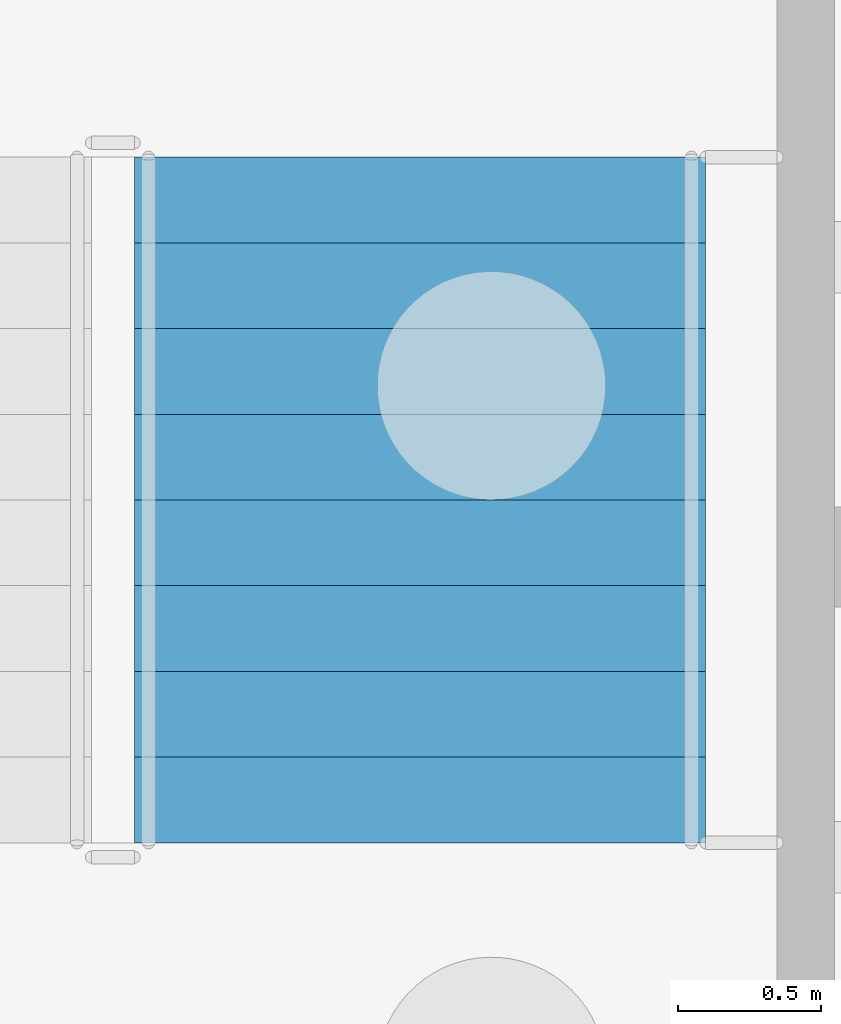
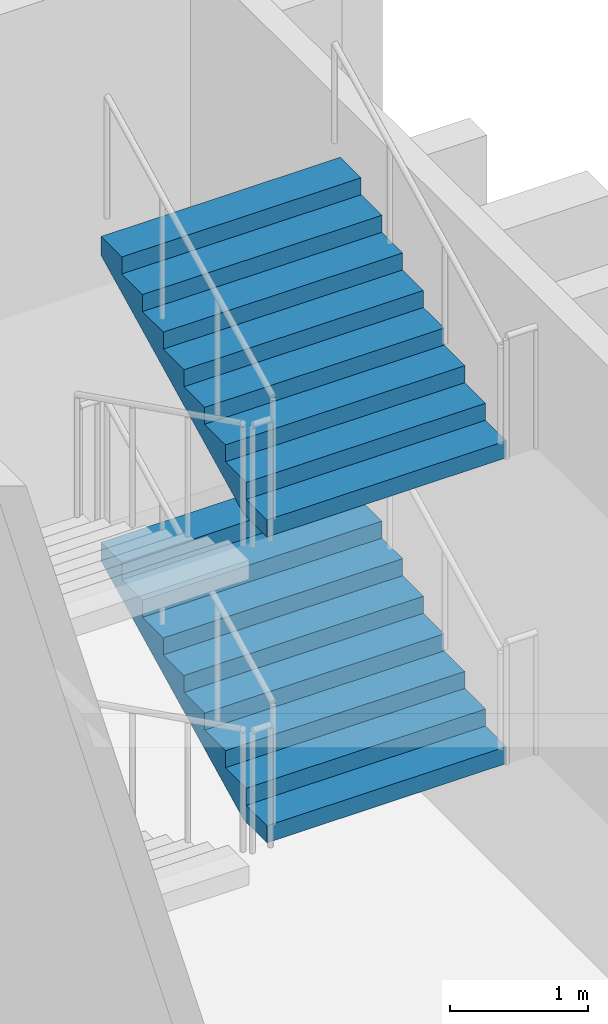
# One storey, part 93 of 129: 2 stair flights, 1 element without a shape of its own.
"""IFC4 building model written with IfcOpenShell, lengths in metres."""

from ifc_helpers import new_model, si_unit, direction, frame, origin, place, context, subcontext, project, spatial, faceted_brep, material, type_object, element, aggregate, save


model = new_model("IFC4")

# Units and contexts
model_context = context("Model", 3, precision=1e-05, world=origin(), true_north=direction((0.0, 1.0)))
body_context = subcontext(model_context, "Body", "Model", "MODEL_VIEW")
ifc_project = project(units=[si_unit("LENGTHUNIT", "METRE"), si_unit("AREAUNIT", "SQUARE_METRE"), si_unit("VOLUMEUNIT", "CUBIC_METRE"), si_unit("PLANEANGLEUNIT", "RADIAN"), si_unit("MASSUNIT", "GRAM", prefix="KILO")], contexts=[model_context])

# Site, building, storey
site_placement = place(None, origin())
site = spatial("IfcSite", under=ifc_project, at=site_placement, CompositionType="ELEMENT")
building_placement = place(site_placement, origin())
building = spatial("IfcBuilding", under=site, at=building_placement, Name="Kiln Court Media Centre", CompositionType="ELEMENT")
storey_placement = place(building_placement, origin())
storey = spatial("IfcBuildingStorey", under=building, at=storey_placement, Name="L00", CompositionType="ELEMENT", Elevation=0.0)

# Stair, stair flights
ifc_material_1 = material(Name="Concrete C40/50", Category="concrete")
stair_type = type_object("IfcStairType", Name="Concrete C40/50 dog-leg stair 2000 wide, 150 riser", PredefinedType="HALF_TURN_STAIR", material=ifc_material_1)
stair_placement = place(storey_placement, origin())
stair = element("IfcStair", 1, at=stair_placement, inside=storey, type_object=stair_type, Name="ST-12 L00", PredefinedType="HALF_TURN_STAIR")
ifc_material_2 = material(Name="Concrete C40/50", Category="concrete")
stair_flight_type = type_object("IfcStairFlightType", Name="Concrete C40/50 stair flight 2000 wide, 150 riser, 300 going", PredefinedType="STRAIGHT", material=ifc_material_2)
stair_flight_1_placement = place(storey_placement, frame((99.35009765625, 62.0, 1.35009765625), z_axis=(0.0, 0.0, 1.0), x_axis=(0.0, 1.0, 0.0)))
stair_flight_1 = element("IfcStairFlight", 2, at=stair_flight_1_placement, type_object=stair_flight_type, Name="L00-ST-5011 flight 5045", NumberOfRisers=9, NumberOfTreads=8, PredefinedType="STRAIGHT", RiserHeight=0.15, TreadLength=0.3, context=body_context, shape_type="Brep", body=[
    faceted_brep([(0.335205078125, -1.0, 0.0), (2.39990234375, -1.0, 1.032470703125), (2.39990234375, -1.0, 1.199951171875), (2.10009765625, -1.0, 1.199951171875), (2.10009765625, -1.0, 1.050048828125), (1.800048828125, -1.0, 1.050048828125), (1.800048828125, -1.0, 0.89990234375), (1.5, -1.0, 0.89990234375), (1.5, -1.0, 0.75), (1.199951171875, -1.0, 0.75), (1.199951171875, -1.0, 0.60009765625), (0.89990234375, -1.0, 0.60009765625), (0.89990234375, -1.0, 0.449951171875), (0.60009765625, -1.0, 0.449951171875), (0.60009765625, -1.0, 0.300048828125), (0.300048828125, -1.0, 0.300048828125), (0.300048828125, -1.0, 0.14990234375), (0.0, -1.0, 0.14990234375), (0.0, -1.0, 0.0), (0.0, 1.0, 0.0), (0.0, 1.0, 0.14990234375), (0.300048828125, 1.0, 0.14990234375), (0.300048828125, 1.0, 0.300048828125), (0.60009765625, 1.0, 0.300048828125), (0.60009765625, 1.0, 0.449951171875), (0.89990234375, 1.0, 0.449951171875), (0.89990234375, 1.0, 0.60009765625), (1.199951171875, 1.0, 0.60009765625), (1.199951171875, 1.0, 0.75), (1.5, 1.0, 0.75), (1.5, 1.0, 0.89990234375), (1.800048828125, 1.0, 0.89990234375), (1.800048828125, 1.0, 1.050048828125), (2.10009765625, 1.0, 1.050048828125), (2.10009765625, 1.0, 1.199951171875), (2.39990234375, 1.0, 1.199951171875), (2.39990234375, 1.0, 1.032470703125), (0.335205078125, 1.0, 0.0), (2.39990234375, 0.10009765625, 1.032470703125), (0.335205078125, 0.10009765625, 0.0), (2.39990234375, 0.080078125, 1.032470703125), (0.335205078125, 0.080078125, 0.0), (2.39990234375, 0.06005859375, 1.032470703125), (0.335205078125, 0.06005859375, 0.0), (2.39990234375, 0.0400390625, 1.032470703125), (0.335205078125, 0.0400390625, 0.0), (2.39990234375, 0.02001953125, 1.032470703125), (0.335205078125, 0.02001953125, 0.0), (2.39990234375, 0.0, 1.032470703125), (0.335205078125, 0.0, 0.0), (2.39990234375, -0.02001953125, 1.032470703125), (0.335205078125, -0.02001953125, 0.0), (2.39990234375, -0.0400390625, 1.032470703125), (0.335205078125, -0.0400390625, 0.0), (2.39990234375, -0.06005859375, 1.032470703125), (0.335205078125, -0.06005859375, 0.0), (2.39990234375, -0.080078125, 1.032470703125), (0.335205078125, -0.080078125, 0.0), (2.39990234375, -0.10009765625, 1.032470703125), (0.335205078125, -0.10009765625, 0.0), (2.39990234375, 0.10009765625, 1.199951171875), (2.39990234375, 0.080078125, 1.199951171875), (2.39990234375, 0.06005859375, 1.199951171875), (2.39990234375, 0.0400390625, 1.199951171875), (2.39990234375, 0.02001953125, 1.199951171875), (2.39990234375, 0.0, 1.199951171875), (2.39990234375, -0.02001953125, 1.199951171875), (2.39990234375, -0.0400390625, 1.199951171875), (2.39990234375, -0.06005859375, 1.199951171875), (2.39990234375, -0.080078125, 1.199951171875), (2.39990234375, -0.10009765625, 1.199951171875), (2.10009765625, 0.10009765625, 1.199951171875), (2.10009765625, 0.080078125, 1.199951171875), (2.10009765625, 0.06005859375, 1.199951171875), (2.10009765625, 0.0400390625, 1.199951171875), (2.10009765625, 0.02001953125, 1.199951171875), (2.10009765625, 0.0, 1.199951171875), (2.10009765625, -0.02001953125, 1.199951171875), (2.10009765625, -0.0400390625, 1.199951171875), (2.10009765625, -0.06005859375, 1.199951171875), (2.10009765625, -0.080078125, 1.199951171875), (2.10009765625, -0.10009765625, 1.199951171875), (2.10009765625, 0.10009765625, 1.050048828125), (2.10009765625, 0.080078125, 1.050048828125), (2.10009765625, 0.06005859375, 1.050048828125), (2.10009765625, 0.0400390625, 1.050048828125), (2.10009765625, 0.02001953125, 1.050048828125), (2.10009765625, 0.0, 1.050048828125), (2.10009765625, -0.02001953125, 1.050048828125), (2.10009765625, -0.0400390625, 1.050048828125), (2.10009765625, -0.06005859375, 1.050048828125), (2.10009765625, -0.080078125, 1.050048828125), (2.10009765625, -0.10009765625, 1.050048828125), (1.800048828125, 0.10009765625, 1.050048828125), (1.800048828125, 0.080078125, 1.050048828125), (1.800048828125, 0.06005859375, 1.050048828125), (1.800048828125, 0.0400390625, 1.050048828125), (1.800048828125, 0.02001953125, 1.050048828125), (1.800048828125, 0.0, 1.050048828125), (1.800048828125, -0.02001953125, 1.050048828125), (1.800048828125, -0.0400390625, 1.050048828125), (1.800048828125, -0.06005859375, 1.050048828125), (1.800048828125, -0.080078125, 1.050048828125), (1.800048828125, -0.10009765625, 1.050048828125), (1.800048828125, 0.10009765625, 0.89990234375), (1.800048828125, 0.080078125, 0.89990234375), (1.800048828125, 0.06005859375, 0.89990234375), (1.800048828125, 0.0400390625, 0.89990234375), (1.800048828125, 0.02001953125, 0.89990234375), (1.800048828125, 0.0, 0.89990234375), (1.800048828125, -0.02001953125, 0.89990234375), (1.800048828125, -0.0400390625, 0.89990234375), (1.800048828125, -0.06005859375, 0.89990234375), (1.800048828125, -0.080078125, 0.89990234375), (1.800048828125, -0.10009765625, 0.89990234375), (1.5, 0.10009765625, 0.89990234375), (1.5, 0.080078125, 0.89990234375), (1.5, 0.06005859375, 0.89990234375), (1.5, 0.0400390625, 0.89990234375), (1.5, 0.02001953125, 0.89990234375), (1.5, 0.0, 0.89990234375), (1.5, -0.02001953125, 0.89990234375), (1.5, -0.0400390625, 0.89990234375), (1.5, -0.06005859375, 0.89990234375), (1.5, -0.080078125, 0.89990234375), (1.5, -0.10009765625, 0.89990234375), (1.5, 0.10009765625, 0.75), (1.5, 0.080078125, 0.75), (1.5, 0.06005859375, 0.75), (1.5, 0.0400390625, 0.75), (1.5, 0.02001953125, 0.75), (1.5, 0.0, 0.75), (1.5, -0.02001953125, 0.75), (1.5, -0.0400390625, 0.75), (1.5, -0.06005859375, 0.75), (1.5, -0.080078125, 0.75), (1.5, -0.10009765625, 0.75), (1.199951171875, 0.10009765625, 0.75), (1.199951171875, 0.080078125, 0.75), (1.199951171875, 0.06005859375, 0.75), (1.199951171875, 0.0400390625, 0.75), (1.199951171875, 0.02001953125, 0.75), (1.199951171875, 0.0, 0.75), (1.199951171875, -0.02001953125, 0.75), (1.199951171875, -0.0400390625, 0.75), (1.199951171875, -0.06005859375, 0.75), (1.199951171875, -0.080078125, 0.75), (1.199951171875, -0.10009765625, 0.75), (1.199951171875, 0.10009765625, 0.60009765625), (1.199951171875, 0.080078125, 0.60009765625), (1.199951171875, 0.06005859375, 0.60009765625), (1.199951171875, 0.0400390625, 0.60009765625), (1.199951171875, 0.02001953125, 0.60009765625), (1.199951171875, 0.0, 0.60009765625), (1.199951171875, -0.02001953125, 0.60009765625), (1.199951171875, -0.0400390625, 0.60009765625), (1.199951171875, -0.06005859375, 0.60009765625), (1.199951171875, -0.080078125, 0.60009765625), (1.199951171875, -0.10009765625, 0.60009765625), (0.89990234375, 0.10009765625, 0.60009765625), (0.89990234375, 0.080078125, 0.60009765625), (0.89990234375, 0.06005859375, 0.60009765625), (0.89990234375, 0.0400390625, 0.60009765625), (0.89990234375, 0.02001953125, 0.60009765625), (0.89990234375, 0.0, 0.60009765625), (0.89990234375, -0.02001953125, 0.60009765625), (0.89990234375, -0.0400390625, 0.60009765625), (0.89990234375, -0.06005859375, 0.60009765625), (0.89990234375, -0.080078125, 0.60009765625), (0.89990234375, -0.10009765625, 0.60009765625), (0.89990234375, 0.10009765625, 0.449951171875), (0.89990234375, 0.080078125, 0.449951171875), (0.89990234375, 0.06005859375, 0.449951171875), (0.89990234375, 0.0400390625, 0.449951171875), (0.89990234375, 0.02001953125, 0.449951171875), (0.89990234375, 0.0, 0.449951171875), (0.89990234375, -0.02001953125, 0.449951171875), (0.89990234375, -0.0400390625, 0.449951171875), (0.89990234375, -0.06005859375, 0.449951171875), (0.89990234375, -0.080078125, 0.449951171875), (0.89990234375, -0.10009765625, 0.449951171875), (0.60009765625, 0.10009765625, 0.449951171875), (0.60009765625, 0.080078125, 0.449951171875), (0.60009765625, 0.06005859375, 0.449951171875), (0.60009765625, 0.0400390625, 0.449951171875), (0.60009765625, 0.02001953125, 0.449951171875), (0.60009765625, 0.0, 0.449951171875), (0.60009765625, -0.02001953125, 0.449951171875), (0.60009765625, -0.0400390625, 0.449951171875), (0.60009765625, -0.06005859375, 0.449951171875), (0.60009765625, -0.080078125, 0.449951171875), (0.60009765625, -0.10009765625, 0.449951171875), (0.60009765625, 0.10009765625, 0.300048828125), (0.60009765625, 0.080078125, 0.300048828125), (0.60009765625, 0.06005859375, 0.300048828125), (0.60009765625, 0.0400390625, 0.300048828125), (0.60009765625, 0.02001953125, 0.300048828125), (0.60009765625, 0.0, 0.300048828125), (0.60009765625, -0.02001953125, 0.300048828125), (0.60009765625, -0.0400390625, 0.300048828125), (0.60009765625, -0.06005859375, 0.300048828125), (0.60009765625, -0.080078125, 0.300048828125), (0.60009765625, -0.10009765625, 0.300048828125), (0.300048828125, 0.10009765625, 0.300048828125), (0.300048828125, 0.080078125, 0.300048828125), (0.300048828125, 0.06005859375, 0.300048828125), (0.300048828125, 0.0400390625, 0.300048828125), (0.300048828125, 0.02001953125, 0.300048828125), (0.300048828125, 0.0, 0.300048828125), (0.300048828125, -0.02001953125, 0.300048828125), (0.300048828125, -0.0400390625, 0.300048828125), (0.300048828125, -0.06005859375, 0.300048828125), (0.300048828125, -0.080078125, 0.300048828125), (0.300048828125, -0.10009765625, 0.300048828125), (0.300048828125, 0.10009765625, 0.14990234375), (0.300048828125, 0.080078125, 0.14990234375), (0.300048828125, 0.06005859375, 0.14990234375), (0.300048828125, 0.0400390625, 0.14990234375), (0.300048828125, 0.02001953125, 0.14990234375), (0.300048828125, 0.0, 0.14990234375), (0.300048828125, -0.02001953125, 0.14990234375), (0.300048828125, -0.0400390625, 0.14990234375), (0.300048828125, -0.06005859375, 0.14990234375), (0.300048828125, -0.080078125, 0.14990234375), (0.300048828125, -0.10009765625, 0.14990234375), (0.0, 0.10009765625, 0.14990234375), (0.0, 0.080078125, 0.14990234375), (0.0, 0.06005859375, 0.14990234375), (0.0, 0.0400390625, 0.14990234375), (0.0, 0.02001953125, 0.14990234375), (0.0, 0.0, 0.14990234375), (0.0, -0.02001953125, 0.14990234375), (0.0, -0.0400390625, 0.14990234375), (0.0, -0.06005859375, 0.14990234375), (0.0, -0.080078125, 0.14990234375), (0.0, -0.10009765625, 0.14990234375), (0.0, 0.10009765625, 0.0), (0.0, 0.080078125, 0.0), (0.0, 0.06005859375, 0.0), (0.0, 0.0400390625, 0.0), (0.0, 0.02001953125, 0.0), (0.0, 0.0, 0.0), (0.0, -0.02001953125, 0.0), (0.0, -0.0400390625, 0.0), (0.0, -0.06005859375, 0.0), (0.0, -0.080078125, 0.0), (0.0, -0.10009765625, 0.0)], [[[0, 1, 2, 3, 4, 5, 6, 7, 8, 9, 10, 11, 12, 13, 14, 15, 16, 17, 18]], [[19, 20, 21, 22, 23, 24, 25, 26, 27, 28, 29, 30, 31, 32, 33, 34, 35, 36, 37]], [[37, 36, 38, 39]], [[39, 38, 40, 41]], [[41, 40, 42, 43]], [[43, 42, 44, 45]], [[45, 44, 46, 47]], [[47, 46, 48, 49]], [[49, 48, 50, 51]], [[51, 50, 52, 53]], [[53, 52, 54, 55]], [[55, 54, 56, 57]], [[57, 56, 58, 59]], [[59, 58, 1, 0]], [[36, 35, 60, 38]], [[38, 60, 61, 40]], [[40, 61, 62, 42]], [[42, 62, 63, 44]], [[44, 63, 64, 46]], [[46, 64, 65, 48]], [[48, 65, 66, 50]], [[50, 66, 67, 52]], [[52, 67, 68, 54]], [[54, 68, 69, 56]], [[56, 69, 70, 58]], [[58, 70, 2, 1]], [[35, 34, 71, 60]], [[60, 71, 72, 61]], [[61, 72, 73, 62]], [[62, 73, 74, 63]], [[63, 74, 75, 64]], [[64, 75, 76, 65]], [[65, 76, 77, 66]], [[66, 77, 78, 67]], [[67, 78, 79, 68]], [[68, 79, 80, 69]], [[69, 80, 81, 70]], [[70, 81, 3, 2]], [[34, 33, 82, 71]], [[71, 82, 83, 72]], [[72, 83, 84, 73]], [[73, 84, 85, 74]], [[74, 85, 86, 75]], [[75, 86, 87, 76]], [[76, 87, 88, 77]], [[77, 88, 89, 78]], [[78, 89, 90, 79]], [[79, 90, 91, 80]], [[80, 91, 92, 81]], [[81, 92, 4, 3]], [[33, 32, 93, 82]], [[82, 93, 94, 83]], [[83, 94, 95, 84]], [[84, 95, 96, 85]], [[85, 96, 97, 86]], [[86, 97, 98, 87]], [[87, 98, 99, 88]], [[88, 99, 100, 89]], [[89, 100, 101, 90]], [[90, 101, 102, 91]], [[91, 102, 103, 92]], [[92, 103, 5, 4]], [[32, 31, 104, 93]], [[93, 104, 105, 94]], [[94, 105, 106, 95]], [[95, 106, 107, 96]], [[96, 107, 108, 97]], [[97, 108, 109, 98]], [[98, 109, 110, 99]], [[99, 110, 111, 100]], [[100, 111, 112, 101]], [[101, 112, 113, 102]], [[102, 113, 114, 103]], [[103, 114, 6, 5]], [[31, 30, 115, 104]], [[104, 115, 116, 105]], [[105, 116, 117, 106]], [[106, 117, 118, 107]], [[107, 118, 119, 108]], [[108, 119, 120, 109]], [[109, 120, 121, 110]], [[110, 121, 122, 111]], [[111, 122, 123, 112]], [[112, 123, 124, 113]], [[113, 124, 125, 114]], [[114, 125, 7, 6]], [[30, 29, 126, 115]], [[115, 126, 127, 116]], [[116, 127, 128, 117]], [[117, 128, 129, 118]], [[118, 129, 130, 119]], [[119, 130, 131, 120]], [[120, 131, 132, 121]], [[121, 132, 133, 122]], [[122, 133, 134, 123]], [[123, 134, 135, 124]], [[124, 135, 136, 125]], [[125, 136, 8, 7]], [[29, 28, 137, 126]], [[126, 137, 138, 127]], [[127, 138, 139, 128]], [[128, 139, 140, 129]], [[129, 140, 141, 130]], [[130, 141, 142, 131]], [[131, 142, 143, 132]], [[132, 143, 144, 133]], [[133, 144, 145, 134]], [[134, 145, 146, 135]], [[135, 146, 147, 136]], [[136, 147, 9, 8]], [[28, 27, 148, 137]], [[137, 148, 149, 138]], [[138, 149, 150, 139]], [[139, 150, 151, 140]], [[140, 151, 152, 141]], [[141, 152, 153, 142]], [[142, 153, 154, 143]], [[143, 154, 155, 144]], [[144, 155, 156, 145]], [[145, 156, 157, 146]], [[146, 157, 158, 147]], [[147, 158, 10, 9]], [[27, 26, 159, 148]], [[148, 159, 160, 149]], [[149, 160, 161, 150]], [[150, 161, 162, 151]], [[151, 162, 163, 152]], [[152, 163, 164, 153]], [[153, 164, 165, 154]], [[154, 165, 166, 155]], [[155, 166, 167, 156]], [[156, 167, 168, 157]], [[157, 168, 169, 158]], [[158, 169, 11, 10]], [[26, 25, 170, 159]], [[159, 170, 171, 160]], [[160, 171, 172, 161]], [[161, 172, 173, 162]], [[162, 173, 174, 163]], [[163, 174, 175, 164]], [[164, 175, 176, 165]], [[165, 176, 177, 166]], [[166, 177, 178, 167]], [[167, 178, 179, 168]], [[168, 179, 180, 169]], [[169, 180, 12, 11]], [[25, 24, 181, 170]], [[170, 181, 182, 171]], [[171, 182, 183, 172]], [[172, 183, 184, 173]], [[173, 184, 185, 174]], [[174, 185, 186, 175]], [[175, 186, 187, 176]], [[176, 187, 188, 177]], [[177, 188, 189, 178]], [[178, 189, 190, 179]], [[179, 190, 191, 180]], [[180, 191, 13, 12]], [[24, 23, 192, 181]], [[181, 192, 193, 182]], [[182, 193, 194, 183]], [[183, 194, 195, 184]], [[184, 195, 196, 185]], [[185, 196, 197, 186]], [[186, 197, 198, 187]], [[187, 198, 199, 188]], [[188, 199, 200, 189]], [[189, 200, 201, 190]], [[190, 201, 202, 191]], [[191, 202, 14, 13]], [[23, 22, 203, 192]], [[192, 203, 204, 193]], [[193, 204, 205, 194]], [[194, 205, 206, 195]], [[195, 206, 207, 196]], [[196, 207, 208, 197]], [[197, 208, 209, 198]], [[198, 209, 210, 199]], [[199, 210, 211, 200]], [[200, 211, 212, 201]], [[201, 212, 213, 202]], [[202, 213, 15, 14]], [[22, 21, 214, 203]], [[203, 214, 215, 204]], [[204, 215, 216, 205]], [[205, 216, 217, 206]], [[206, 217, 218, 207]], [[207, 218, 219, 208]], [[208, 219, 220, 209]], [[209, 220, 221, 210]], [[210, 221, 222, 211]], [[211, 222, 223, 212]], [[212, 223, 224, 213]], [[213, 224, 16, 15]], [[21, 20, 225, 214]], [[214, 225, 226, 215]], [[215, 226, 227, 216]], [[216, 227, 228, 217]], [[217, 228, 229, 218]], [[218, 229, 230, 219]], [[219, 230, 231, 220]], [[220, 231, 232, 221]], [[221, 232, 233, 222]], [[222, 233, 234, 223]], [[223, 234, 235, 224]], [[224, 235, 17, 16]], [[20, 19, 236, 225]], [[225, 236, 237, 226]], [[226, 237, 238, 227]], [[227, 238, 239, 228]], [[228, 239, 240, 229]], [[229, 240, 241, 230]], [[230, 241, 242, 231]], [[231, 242, 243, 232]], [[232, 243, 244, 233]], [[233, 244, 245, 234]], [[234, 245, 246, 235]], [[235, 246, 18, 17]], [[19, 37, 39, 236]], [[236, 39, 41, 237]], [[237, 41, 43, 238]], [[238, 43, 45, 239]], [[239, 45, 47, 240]], [[240, 47, 49, 241]], [[241, 49, 51, 242]], [[242, 51, 53, 243]], [[243, 53, 55, 244]], [[244, 55, 57, 245]], [[245, 57, 59, 246]], [[246, 59, 0, 18]]]),
])
stair_flight_2_placement = place(storey_placement, frame((99.35009765625, 62.0, 4.050048828125), z_axis=(0.0, 0.0, 1.0), x_axis=(0.0, 1.0, 0.0)))
stair_flight_2 = element("IfcStairFlight", 3, at=stair_flight_2_placement, type_object=stair_flight_type, Name="L00-ST-5011 flight 5047", NumberOfRisers=9, NumberOfTreads=8, PredefinedType="STRAIGHT", RiserHeight=0.15, TreadLength=0.3, context=body_context, shape_type="Brep", body=[
    faceted_brep([(0.335205078125, -1.0, 0.0), (2.39990234375, -1.0, 1.032470703125), (2.39990234375, -1.0, 1.199951171875), (2.10009765625, -1.0, 1.199951171875), (2.10009765625, -1.0, 1.050048828125), (1.800048828125, -1.0, 1.050048828125), (1.800048828125, -1.0, 0.89990234375), (1.5, -1.0, 0.89990234375), (1.5, -1.0, 0.75), (1.199951171875, -1.0, 0.75), (1.199951171875, -1.0, 0.60009765625), (0.89990234375, -1.0, 0.60009765625), (0.89990234375, -1.0, 0.449951171875), (0.60009765625, -1.0, 0.449951171875), (0.60009765625, -1.0, 0.300048828125), (0.300048828125, -1.0, 0.300048828125), (0.300048828125, -1.0, 0.14990234375), (0.0, -1.0, 0.14990234375), (0.0, -1.0, 0.0), (0.0, 1.0, 0.0), (0.0, 1.0, 0.14990234375), (0.300048828125, 1.0, 0.14990234375), (0.300048828125, 1.0, 0.300048828125), (0.60009765625, 1.0, 0.300048828125), (0.60009765625, 1.0, 0.449951171875), (0.89990234375, 1.0, 0.449951171875), (0.89990234375, 1.0, 0.60009765625), (1.199951171875, 1.0, 0.60009765625), (1.199951171875, 1.0, 0.75), (1.5, 1.0, 0.75), (1.5, 1.0, 0.89990234375), (1.800048828125, 1.0, 0.89990234375), (1.800048828125, 1.0, 1.050048828125), (2.10009765625, 1.0, 1.050048828125), (2.10009765625, 1.0, 1.199951171875), (2.39990234375, 1.0, 1.199951171875), (2.39990234375, 1.0, 1.032470703125), (0.335205078125, 1.0, 0.0), (2.39990234375, 0.10009765625, 1.032470703125), (0.335205078125, 0.10009765625, 0.0), (2.39990234375, 0.080078125, 1.032470703125), (0.335205078125, 0.080078125, 0.0), (2.39990234375, 0.06005859375, 1.032470703125), (0.335205078125, 0.06005859375, 0.0), (2.39990234375, 0.0400390625, 1.032470703125), (0.335205078125, 0.0400390625, 0.0), (2.39990234375, 0.02001953125, 1.032470703125), (0.335205078125, 0.02001953125, 0.0), (2.39990234375, 0.0, 1.032470703125), (0.335205078125, 0.0, 0.0), (2.39990234375, -0.02001953125, 1.032470703125), (0.335205078125, -0.02001953125, 0.0), (2.39990234375, -0.0400390625, 1.032470703125), (0.335205078125, -0.0400390625, 0.0), (2.39990234375, -0.06005859375, 1.032470703125), (0.335205078125, -0.06005859375, 0.0), (2.39990234375, -0.080078125, 1.032470703125), (0.335205078125, -0.080078125, 0.0), (2.39990234375, -0.10009765625, 1.032470703125), (0.335205078125, -0.10009765625, 0.0), (2.39990234375, 0.10009765625, 1.199951171875), (2.39990234375, 0.080078125, 1.199951171875), (2.39990234375, 0.06005859375, 1.199951171875), (2.39990234375, 0.0400390625, 1.199951171875), (2.39990234375, 0.02001953125, 1.199951171875), (2.39990234375, 0.0, 1.199951171875), (2.39990234375, -0.02001953125, 1.199951171875), (2.39990234375, -0.0400390625, 1.199951171875), (2.39990234375, -0.06005859375, 1.199951171875), (2.39990234375, -0.080078125, 1.199951171875), (2.39990234375, -0.10009765625, 1.199951171875), (2.10009765625, 0.10009765625, 1.199951171875), (2.10009765625, 0.080078125, 1.199951171875), (2.10009765625, 0.06005859375, 1.199951171875), (2.10009765625, 0.0400390625, 1.199951171875), (2.10009765625, 0.02001953125, 1.199951171875), (2.10009765625, 0.0, 1.199951171875), (2.10009765625, -0.02001953125, 1.199951171875), (2.10009765625, -0.0400390625, 1.199951171875), (2.10009765625, -0.06005859375, 1.199951171875), (2.10009765625, -0.080078125, 1.199951171875), (2.10009765625, -0.10009765625, 1.199951171875), (2.10009765625, 0.10009765625, 1.050048828125), (2.10009765625, 0.080078125, 1.050048828125), (2.10009765625, 0.06005859375, 1.050048828125), (2.10009765625, 0.0400390625, 1.050048828125), (2.10009765625, 0.02001953125, 1.050048828125), (2.10009765625, 0.0, 1.050048828125), (2.10009765625, -0.02001953125, 1.050048828125), (2.10009765625, -0.0400390625, 1.050048828125), (2.10009765625, -0.06005859375, 1.050048828125), (2.10009765625, -0.080078125, 1.050048828125), (2.10009765625, -0.10009765625, 1.050048828125), (1.800048828125, 0.10009765625, 1.050048828125), (1.800048828125, 0.080078125, 1.050048828125), (1.800048828125, 0.06005859375, 1.050048828125), (1.800048828125, 0.0400390625, 1.050048828125), (1.800048828125, 0.02001953125, 1.050048828125), (1.800048828125, 0.0, 1.050048828125), (1.800048828125, -0.02001953125, 1.050048828125), (1.800048828125, -0.0400390625, 1.050048828125), (1.800048828125, -0.06005859375, 1.050048828125), (1.800048828125, -0.080078125, 1.050048828125), (1.800048828125, -0.10009765625, 1.050048828125), (1.800048828125, 0.10009765625, 0.89990234375), (1.800048828125, 0.080078125, 0.89990234375), (1.800048828125, 0.06005859375, 0.89990234375), (1.800048828125, 0.0400390625, 0.89990234375), (1.800048828125, 0.02001953125, 0.89990234375), (1.800048828125, 0.0, 0.89990234375), (1.800048828125, -0.02001953125, 0.89990234375), (1.800048828125, -0.0400390625, 0.89990234375), (1.800048828125, -0.06005859375, 0.89990234375), (1.800048828125, -0.080078125, 0.89990234375), (1.800048828125, -0.10009765625, 0.89990234375), (1.5, 0.10009765625, 0.89990234375), (1.5, 0.080078125, 0.89990234375), (1.5, 0.06005859375, 0.89990234375), (1.5, 0.0400390625, 0.89990234375), (1.5, 0.02001953125, 0.89990234375), (1.5, 0.0, 0.89990234375), (1.5, -0.02001953125, 0.89990234375), (1.5, -0.0400390625, 0.89990234375), (1.5, -0.06005859375, 0.89990234375), (1.5, -0.080078125, 0.89990234375), (1.5, -0.10009765625, 0.89990234375), (1.5, 0.10009765625, 0.75), (1.5, 0.080078125, 0.75), (1.5, 0.06005859375, 0.75), (1.5, 0.0400390625, 0.75), (1.5, 0.02001953125, 0.75), (1.5, 0.0, 0.75), (1.5, -0.02001953125, 0.75), (1.5, -0.0400390625, 0.75), (1.5, -0.06005859375, 0.75), (1.5, -0.080078125, 0.75), (1.5, -0.10009765625, 0.75), (1.199951171875, 0.10009765625, 0.75), (1.199951171875, 0.080078125, 0.75), (1.199951171875, 0.06005859375, 0.75), (1.199951171875, 0.0400390625, 0.75), (1.199951171875, 0.02001953125, 0.75), (1.199951171875, 0.0, 0.75), (1.199951171875, -0.02001953125, 0.75), (1.199951171875, -0.0400390625, 0.75), (1.199951171875, -0.06005859375, 0.75), (1.199951171875, -0.080078125, 0.75), (1.199951171875, -0.10009765625, 0.75), (1.199951171875, 0.10009765625, 0.60009765625), (1.199951171875, 0.080078125, 0.60009765625), (1.199951171875, 0.06005859375, 0.60009765625), (1.199951171875, 0.0400390625, 0.60009765625), (1.199951171875, 0.02001953125, 0.60009765625), (1.199951171875, 0.0, 0.60009765625), (1.199951171875, -0.02001953125, 0.60009765625), (1.199951171875, -0.0400390625, 0.60009765625), (1.199951171875, -0.06005859375, 0.60009765625), (1.199951171875, -0.080078125, 0.60009765625), (1.199951171875, -0.10009765625, 0.60009765625), (0.89990234375, 0.10009765625, 0.60009765625), (0.89990234375, 0.080078125, 0.60009765625), (0.89990234375, 0.06005859375, 0.60009765625), (0.89990234375, 0.0400390625, 0.60009765625), (0.89990234375, 0.02001953125, 0.60009765625), (0.89990234375, 0.0, 0.60009765625), (0.89990234375, -0.02001953125, 0.60009765625), (0.89990234375, -0.0400390625, 0.60009765625), (0.89990234375, -0.06005859375, 0.60009765625), (0.89990234375, -0.080078125, 0.60009765625), (0.89990234375, -0.10009765625, 0.60009765625), (0.89990234375, 0.10009765625, 0.449951171875), (0.89990234375, 0.080078125, 0.449951171875), (0.89990234375, 0.06005859375, 0.449951171875), (0.89990234375, 0.0400390625, 0.449951171875), (0.89990234375, 0.02001953125, 0.449951171875), (0.89990234375, 0.0, 0.449951171875), (0.89990234375, -0.02001953125, 0.449951171875), (0.89990234375, -0.0400390625, 0.449951171875), (0.89990234375, -0.06005859375, 0.449951171875), (0.89990234375, -0.080078125, 0.449951171875), (0.89990234375, -0.10009765625, 0.449951171875), (0.60009765625, 0.10009765625, 0.449951171875), (0.60009765625, 0.080078125, 0.449951171875), (0.60009765625, 0.06005859375, 0.449951171875), (0.60009765625, 0.0400390625, 0.449951171875), (0.60009765625, 0.02001953125, 0.449951171875), (0.60009765625, 0.0, 0.449951171875), (0.60009765625, -0.02001953125, 0.449951171875), (0.60009765625, -0.0400390625, 0.449951171875), (0.60009765625, -0.06005859375, 0.449951171875), (0.60009765625, -0.080078125, 0.449951171875), (0.60009765625, -0.10009765625, 0.449951171875), (0.60009765625, 0.10009765625, 0.300048828125), (0.60009765625, 0.080078125, 0.300048828125), (0.60009765625, 0.06005859375, 0.300048828125), (0.60009765625, 0.0400390625, 0.300048828125), (0.60009765625, 0.02001953125, 0.300048828125), (0.60009765625, 0.0, 0.300048828125), (0.60009765625, -0.02001953125, 0.300048828125), (0.60009765625, -0.0400390625, 0.300048828125), (0.60009765625, -0.06005859375, 0.300048828125), (0.60009765625, -0.080078125, 0.300048828125), (0.60009765625, -0.10009765625, 0.300048828125), (0.300048828125, 0.10009765625, 0.300048828125), (0.300048828125, 0.080078125, 0.300048828125), (0.300048828125, 0.06005859375, 0.300048828125), (0.300048828125, 0.0400390625, 0.300048828125), (0.300048828125, 0.02001953125, 0.300048828125), (0.300048828125, 0.0, 0.300048828125), (0.300048828125, -0.02001953125, 0.300048828125), (0.300048828125, -0.0400390625, 0.300048828125), (0.300048828125, -0.06005859375, 0.300048828125), (0.300048828125, -0.080078125, 0.300048828125), (0.300048828125, -0.10009765625, 0.300048828125), (0.300048828125, 0.10009765625, 0.14990234375), (0.300048828125, 0.080078125, 0.14990234375), (0.300048828125, 0.06005859375, 0.14990234375), (0.300048828125, 0.0400390625, 0.14990234375), (0.300048828125, 0.02001953125, 0.14990234375), (0.300048828125, 0.0, 0.14990234375), (0.300048828125, -0.02001953125, 0.14990234375), (0.300048828125, -0.0400390625, 0.14990234375), (0.300048828125, -0.06005859375, 0.14990234375), (0.300048828125, -0.080078125, 0.14990234375), (0.300048828125, -0.10009765625, 0.14990234375), (0.0, 0.10009765625, 0.14990234375), (0.0, 0.080078125, 0.14990234375), (0.0, 0.06005859375, 0.14990234375), (0.0, 0.0400390625, 0.14990234375), (0.0, 0.02001953125, 0.14990234375), (0.0, 0.0, 0.14990234375), (0.0, -0.02001953125, 0.14990234375), (0.0, -0.0400390625, 0.14990234375), (0.0, -0.06005859375, 0.14990234375), (0.0, -0.080078125, 0.14990234375), (0.0, -0.10009765625, 0.14990234375), (0.0, 0.10009765625, 0.0), (0.0, 0.080078125, 0.0), (0.0, 0.06005859375, 0.0), (0.0, 0.0400390625, 0.0), (0.0, 0.02001953125, 0.0), (0.0, 0.0, 0.0), (0.0, -0.02001953125, 0.0), (0.0, -0.0400390625, 0.0), (0.0, -0.06005859375, 0.0), (0.0, -0.080078125, 0.0), (0.0, -0.10009765625, 0.0)], [[[0, 1, 2, 3, 4, 5, 6, 7, 8, 9, 10, 11, 12, 13, 14, 15, 16, 17, 18]], [[19, 20, 21, 22, 23, 24, 25, 26, 27, 28, 29, 30, 31, 32, 33, 34, 35, 36, 37]], [[37, 36, 38, 39]], [[39, 38, 40, 41]], [[41, 40, 42, 43]], [[43, 42, 44, 45]], [[45, 44, 46, 47]], [[47, 46, 48, 49]], [[49, 48, 50, 51]], [[51, 50, 52, 53]], [[53, 52, 54, 55]], [[55, 54, 56, 57]], [[57, 56, 58, 59]], [[59, 58, 1, 0]], [[36, 35, 60, 38]], [[38, 60, 61, 40]], [[40, 61, 62, 42]], [[42, 62, 63, 44]], [[44, 63, 64, 46]], [[46, 64, 65, 48]], [[48, 65, 66, 50]], [[50, 66, 67, 52]], [[52, 67, 68, 54]], [[54, 68, 69, 56]], [[56, 69, 70, 58]], [[58, 70, 2, 1]], [[35, 34, 71, 60]], [[60, 71, 72, 61]], [[61, 72, 73, 62]], [[62, 73, 74, 63]], [[63, 74, 75, 64]], [[64, 75, 76, 65]], [[65, 76, 77, 66]], [[66, 77, 78, 67]], [[67, 78, 79, 68]], [[68, 79, 80, 69]], [[69, 80, 81, 70]], [[70, 81, 3, 2]], [[34, 33, 82, 71]], [[71, 82, 83, 72]], [[72, 83, 84, 73]], [[73, 84, 85, 74]], [[74, 85, 86, 75]], [[75, 86, 87, 76]], [[76, 87, 88, 77]], [[77, 88, 89, 78]], [[78, 89, 90, 79]], [[79, 90, 91, 80]], [[80, 91, 92, 81]], [[81, 92, 4, 3]], [[33, 32, 93, 82]], [[82, 93, 94, 83]], [[83, 94, 95, 84]], [[84, 95, 96, 85]], [[85, 96, 97, 86]], [[86, 97, 98, 87]], [[87, 98, 99, 88]], [[88, 99, 100, 89]], [[89, 100, 101, 90]], [[90, 101, 102, 91]], [[91, 102, 103, 92]], [[92, 103, 5, 4]], [[32, 31, 104, 93]], [[93, 104, 105, 94]], [[94, 105, 106, 95]], [[95, 106, 107, 96]], [[96, 107, 108, 97]], [[97, 108, 109, 98]], [[98, 109, 110, 99]], [[99, 110, 111, 100]], [[100, 111, 112, 101]], [[101, 112, 113, 102]], [[102, 113, 114, 103]], [[103, 114, 6, 5]], [[31, 30, 115, 104]], [[104, 115, 116, 105]], [[105, 116, 117, 106]], [[106, 117, 118, 107]], [[107, 118, 119, 108]], [[108, 119, 120, 109]], [[109, 120, 121, 110]], [[110, 121, 122, 111]], [[111, 122, 123, 112]], [[112, 123, 124, 113]], [[113, 124, 125, 114]], [[114, 125, 7, 6]], [[30, 29, 126, 115]], [[115, 126, 127, 116]], [[116, 127, 128, 117]], [[117, 128, 129, 118]], [[118, 129, 130, 119]], [[119, 130, 131, 120]], [[120, 131, 132, 121]], [[121, 132, 133, 122]], [[122, 133, 134, 123]], [[123, 134, 135, 124]], [[124, 135, 136, 125]], [[125, 136, 8, 7]], [[29, 28, 137, 126]], [[126, 137, 138, 127]], [[127, 138, 139, 128]], [[128, 139, 140, 129]], [[129, 140, 141, 130]], [[130, 141, 142, 131]], [[131, 142, 143, 132]], [[132, 143, 144, 133]], [[133, 144, 145, 134]], [[134, 145, 146, 135]], [[135, 146, 147, 136]], [[136, 147, 9, 8]], [[28, 27, 148, 137]], [[137, 148, 149, 138]], [[138, 149, 150, 139]], [[139, 150, 151, 140]], [[140, 151, 152, 141]], [[141, 152, 153, 142]], [[142, 153, 154, 143]], [[143, 154, 155, 144]], [[144, 155, 156, 145]], [[145, 156, 157, 146]], [[146, 157, 158, 147]], [[147, 158, 10, 9]], [[27, 26, 159, 148]], [[148, 159, 160, 149]], [[149, 160, 161, 150]], [[150, 161, 162, 151]], [[151, 162, 163, 152]], [[152, 163, 164, 153]], [[153, 164, 165, 154]], [[154, 165, 166, 155]], [[155, 166, 167, 156]], [[156, 167, 168, 157]], [[157, 168, 169, 158]], [[158, 169, 11, 10]], [[26, 25, 170, 159]], [[159, 170, 171, 160]], [[160, 171, 172, 161]], [[161, 172, 173, 162]], [[162, 173, 174, 163]], [[163, 174, 175, 164]], [[164, 175, 176, 165]], [[165, 176, 177, 166]], [[166, 177, 178, 167]], [[167, 178, 179, 168]], [[168, 179, 180, 169]], [[169, 180, 12, 11]], [[25, 24, 181, 170]], [[170, 181, 182, 171]], [[171, 182, 183, 172]], [[172, 183, 184, 173]], [[173, 184, 185, 174]], [[174, 185, 186, 175]], [[175, 186, 187, 176]], [[176, 187, 188, 177]], [[177, 188, 189, 178]], [[178, 189, 190, 179]], [[179, 190, 191, 180]], [[180, 191, 13, 12]], [[24, 23, 192, 181]], [[181, 192, 193, 182]], [[182, 193, 194, 183]], [[183, 194, 195, 184]], [[184, 195, 196, 185]], [[185, 196, 197, 186]], [[186, 197, 198, 187]], [[187, 198, 199, 188]], [[188, 199, 200, 189]], [[189, 200, 201, 190]], [[190, 201, 202, 191]], [[191, 202, 14, 13]], [[23, 22, 203, 192]], [[192, 203, 204, 193]], [[193, 204, 205, 194]], [[194, 205, 206, 195]], [[195, 206, 207, 196]], [[196, 207, 208, 197]], [[197, 208, 209, 198]], [[198, 209, 210, 199]], [[199, 210, 211, 200]], [[200, 211, 212, 201]], [[201, 212, 213, 202]], [[202, 213, 15, 14]], [[22, 21, 214, 203]], [[203, 214, 215, 204]], [[204, 215, 216, 205]], [[205, 216, 217, 206]], [[206, 217, 218, 207]], [[207, 218, 219, 208]], [[208, 219, 220, 209]], [[209, 220, 221, 210]], [[210, 221, 222, 211]], [[211, 222, 223, 212]], [[212, 223, 224, 213]], [[213, 224, 16, 15]], [[21, 20, 225, 214]], [[214, 225, 226, 215]], [[215, 226, 227, 216]], [[216, 227, 228, 217]], [[217, 228, 229, 218]], [[218, 229, 230, 219]], [[219, 230, 231, 220]], [[220, 231, 232, 221]], [[221, 232, 233, 222]], [[222, 233, 234, 223]], [[223, 234, 235, 224]], [[224, 235, 17, 16]], [[20, 19, 236, 225]], [[225, 236, 237, 226]], [[226, 237, 238, 227]], [[227, 238, 239, 228]], [[228, 239, 240, 229]], [[229, 240, 241, 230]], [[230, 241, 242, 231]], [[231, 242, 243, 232]], [[232, 243, 244, 233]], [[233, 244, 245, 234]], [[234, 245, 246, 235]], [[235, 246, 18, 17]], [[19, 37, 39, 236]], [[236, 39, 41, 237]], [[237, 41, 43, 238]], [[238, 43, 45, 239]], [[239, 45, 47, 240]], [[240, 47, 49, 241]], [[241, 49, 51, 242]], [[242, 51, 53, 243]], [[243, 53, 55, 244]], [[244, 55, 57, 245]], [[245, 57, 59, 246]], [[246, 59, 0, 18]]]),
])
aggregate(stair, [stair_flight_1, stair_flight_2])

save(model, "model.ifc")
